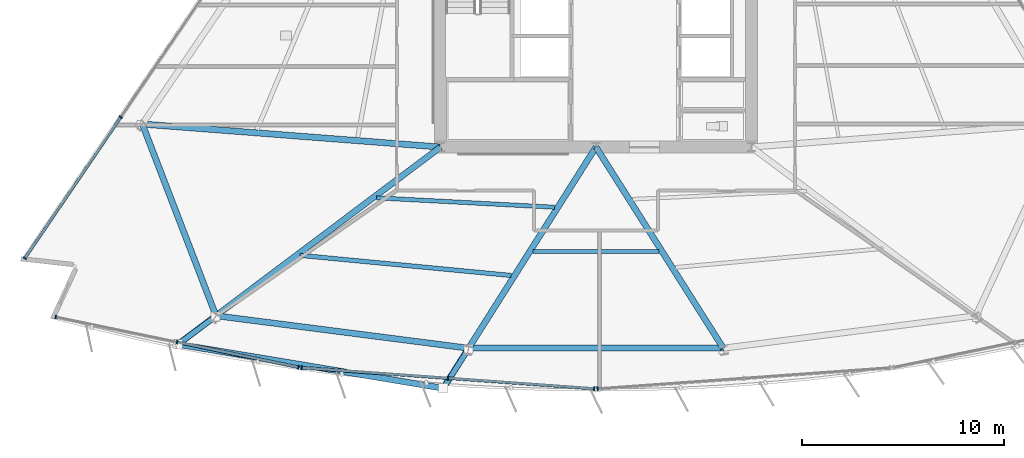
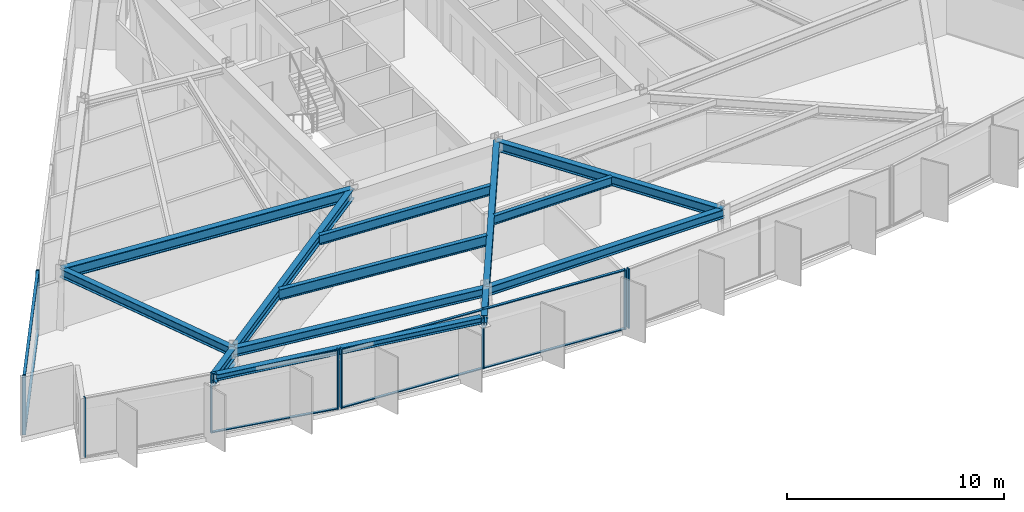
# One storey, part 2 of 15: 19 members, 13 beams, 4 elements without a shape of their own.
"""IFC4 building model written with IfcOpenShell, lengths in metres."""

from ifc_helpers import new_model, si_unit, direction, frame, origin, origin_2d, place, context, subcontext, project, spatial, rectangle, hollow_circle, i_section, extrude, material, material_profile, profile_set, type_object, element, aggregate, save


model = new_model("IFC4")

# Units and contexts
model_context = context("Model", 3, precision=1e-05, world=origin(), true_north=direction((0.0, 1.0)))
body_context = subcontext(model_context, "Body", "Model", "MODEL_VIEW")
ifc_project = project(units=[si_unit("LENGTHUNIT", "METRE"), si_unit("AREAUNIT", "SQUARE_METRE"), si_unit("VOLUMEUNIT", "CUBIC_METRE"), si_unit("PLANEANGLEUNIT", "RADIAN"), si_unit("MASSUNIT", "GRAM", prefix="KILO")], contexts=[model_context])

# Site, building, storey
site_placement = place(None, origin())
site = spatial("IfcSite", under=ifc_project, at=site_placement, CompositionType="ELEMENT")
building_placement = place(site_placement, origin())
building = spatial("IfcBuilding", under=site, at=building_placement, Name="Savorim Split Tower", CompositionType="ELEMENT")
storey_placement = place(building_placement, frame((0.0, 0.0, 100.5)))
storey = spatial("IfcBuildingStorey", under=building, at=storey_placement, Name="L26", CompositionType="ELEMENT", Elevation=100.5)

# Beams
ifc_material_1 = material(Name="Steel S355", Category="steel")
ifc_material_profile_1 = material_profile(ifc_material_1, i_section(OverallWidth=0.199951171875, OverallDepth=0.5, WebThickness=0.01025390625, FlangeThickness=0.01611328125, FilletRadius=0.02099609375, at=origin_2d()), Name="IPE 500")
ifc_profile_set_1 = profile_set([ifc_material_profile_1], Name="Steel S355")
beam_type_1 = type_object("IfcBeamType", Name="BM-JST-IPE500", PredefinedType="JOIST", material=ifc_profile_set_1)
beam_1_placement = place(storey_placement, frame((-3.120849609375, -14.581787109375, 3.10009765625), z_axis=(1.0, 0.0, 0.0), x_axis=(0.0, 1.0, 0.0)))
element("IfcBeam", 1, at=beam_1_placement, inside=storey, type_object=beam_type_1, Name="L26 Secondary Floor Joist JS-03", PredefinedType="JOIST", context=body_context, shape_type="SweptSolid", body=[
    extrude(i_section(OverallWidth=0.199951171875, OverallDepth=0.5, WebThickness=0.01025390625, FlangeThickness=0.01611328125, FilletRadius=0.02099609375, at=origin_2d()), origin(), (0.0, 0.0, 1.0), 6.24169921875),
])
ifc_material_profile_2 = material_profile(ifc_material_1, i_section(OverallWidth=0.2099609375, OverallDepth=0.550048828125, WebThickness=0.010986328125, FlangeThickness=0.01708984375, FilletRadius=0.02392578125, at=origin_2d()), Name="IPE 550")
ifc_profile_set_2 = profile_set([ifc_material_profile_2], Name="Steel S355")
beam_type_2 = type_object("IfcBeamType", Name="BM-JST-IPE550", PredefinedType="JOIST", material=ifc_profile_set_2)
beam_2_placement = place(storey_placement, frame((-10.877685546875, -11.916015625, 3.074951171875), z_axis=(0.998614240243, -0.052626981511, 0.0), x_axis=(0.052626981511, 0.998614240243, 0.0)))
element("IfcBeam", 2, at=beam_2_placement, inside=storey, type_object=beam_type_2, Name="L26 Secondary Floor Joist JS-02", PredefinedType="JOIST", context=body_context, shape_type="SweptSolid", body=[
    extrude(i_section(OverallWidth=0.2099609375, OverallDepth=0.550048828125, WebThickness=0.010986328125, FlangeThickness=0.01708984375, FilletRadius=0.02392578125, at=origin_2d()), origin(), (0.0, 0.0, 1.0), 8.83740234375),
])
ifc_material_profile_3 = material_profile(ifc_material_1, i_section(OverallWidth=0.219970703125, OverallDepth=0.60009765625, WebThickness=0.011962890625, FlangeThickness=0.01904296875, FilletRadius=0.02392578125, at=origin_2d()), Name="IPE 600")
ifc_profile_set_3 = profile_set([ifc_material_profile_3], Name="Steel S355")
beam_type_3 = type_object("IfcBeamType", Name="BM-JST-IPE600", PredefinedType="JOIST", material=ifc_profile_set_3)
beam_3_placement = place(storey_placement, frame((-14.660888671875, -14.764404296875, 3.050048828125), z_axis=(0.99548189162, -0.0949515848, 0.0), x_axis=(0.0949515848, 0.99548189162, 0.0)))
element("IfcBeam", 3, at=beam_3_placement, inside=storey, type_object=beam_type_3, Name="L26 Secondary Floor Joist JS-01", PredefinedType="JOIST", context=body_context, shape_type="SweptSolid", body=[
    extrude(i_section(OverallWidth=0.219970703125, OverallDepth=0.60009765625, WebThickness=0.011962890625, FlangeThickness=0.01904296875, FilletRadius=0.02392578125, at=origin_2d()), origin(), (0.0, 0.0, 1.0), 10.51123046875),
])
ifc_material_profile_4 = material_profile(ifc_material_1, i_section(OverallWidth=0.300048828125, OverallDepth=0.550048828125, WebThickness=0.014892578125, FlangeThickness=0.029052734375, FilletRadius=0.027099609375, at=origin_2d()), Name="HEB 550")
ifc_profile_set_4 = profile_set([ifc_material_profile_4], Name="Steel S355")
beam_type_4 = type_object("IfcBeamType", Name="BM-PRI-HEB550", PredefinedType="BEAM", material=ifc_profile_set_4)
beam_4_placement = place(storey_placement, frame((-18.8251953125, -17.75830078125, 3.074951171875), z_axis=(0.799500748151, 0.600665092798, 0.0), x_axis=(-0.600665092798, 0.799500748151, 0.0)))
element("IfcBeam", 4, at=beam_4_placement, inside=storey, type_object=beam_type_4, Name="L26 Primary Floor Girder RG-01", PredefinedType="BEAM", context=body_context, shape_type="SweptSolid", body=[
    extrude(i_section(OverallWidth=0.300048828125, OverallDepth=0.550048828125, WebThickness=0.014892578125, FlangeThickness=0.029052734375, FilletRadius=0.027099609375, at=origin_2d()), origin(), (0.0, 0.0, 1.0), 13.915283203125),
])
for number, where, z_axis, x_axis, name in (
    (5, (-6.309326171875, -19.365234375, 3.074951171875), (0.534927979037, 0.844897660811, 0.0), (-0.844897660811, 0.534927979037, 0.0), "L26 Primary Floor Girder RG-02"),
    (6, (6.309326171875, -19.365234375, 3.074951171875), (-0.534927979037, 0.844897660811, 0.0), (-0.844897660811, -0.534927979037, 0.0), "L26 Primary Floor Girder RG-03"),
):
    element("IfcBeam", number, at=place(storey_placement, frame(where, z_axis=z_axis, x_axis=x_axis)), inside=storey, type_object=beam_type_4, Name=name, PredefinedType="BEAM", context=body_context, shape_type="SweptSolid", body=[
        extrude(i_section(OverallWidth=0.300048828125, OverallDepth=0.550048828125, WebThickness=0.014892578125, FlangeThickness=0.029052734375, FilletRadius=0.027099609375, at=origin_2d()), origin(), (0.0, 0.0, 1.0), 11.794677734375),
    ])
beam_5_placement = place(storey_placement, frame((-18.8251953125, -17.75830078125, 3.074951171875), z_axis=(-0.799501074402, -0.600664658549, 0.0), x_axis=(0.600664658549, -0.799501074402, 0.0)))
element("IfcBeam", 7, at=beam_5_placement, inside=storey, type_object=beam_type_4, Name="L26 Cantilevered Lounge Rib 1", PredefinedType="BEAM", context=body_context, shape_type="SweptSolid", body=[
    extrude(i_section(OverallWidth=0.300048828125, OverallDepth=0.550048828125, WebThickness=0.014892578125, FlangeThickness=0.029052734375, FilletRadius=0.027099609375, at=origin_2d()), origin(), (0.0, 0.0, 1.0), 2.35009765625),
])
beam_6_placement = place(storey_placement, frame((-6.309326171875, -19.365234375, 3.074951171875), z_axis=(-0.534958151693, -0.844878556917, 0.0), x_axis=(0.844878556917, -0.534958151693, 0.0)))
element("IfcBeam", 8, at=beam_6_placement, inside=storey, type_object=beam_type_4, Name="L26 Cantilevered Lounge Rib 2", PredefinedType="BEAM", context=body_context, shape_type="SweptSolid", body=[
    extrude(i_section(OverallWidth=0.300048828125, OverallDepth=0.550048828125, WebThickness=0.014892578125, FlangeThickness=0.029052734375, FilletRadius=0.027099609375, at=origin_2d()), origin(), (0.0, 0.0, 1.0), 2.349853515625),
])
ifc_material_2 = material(Name="Steel S460", Category="steel")
ifc_material_profile_5 = material_profile(ifc_material_2, i_section(OverallWidth=0.304931640625, OverallDepth=0.6201171875, WebThickness=0.02099609375, FlangeThickness=0.0400390625, FilletRadius=0.027099609375, at=origin_2d()), Name="HE 600 M")
ifc_profile_set_5 = profile_set([ifc_material_profile_5], Name="Steel S460")
beam_type_5 = type_object("IfcBeamType", Name="BM-PRI-HEM600", PredefinedType="BEAM", material=ifc_profile_set_5)
beam_7_placement = place(storey_placement, frame((-22.4765625, -8.260009765625, 3.0400390625), z_axis=(0.997037795001, -0.076913167532, 0.0), x_axis=(0.076913167532, 0.997037795001, 0.0)))
element("IfcBeam", 9, at=beam_7_placement, inside=storey, type_object=beam_type_5, Name="L26 Primary Floor Girder RG-10", PredefinedType="BEAM", context=body_context, shape_type="SweptSolid", body=[
    extrude(i_section(OverallWidth=0.304931640625, OverallDepth=0.6201171875, WebThickness=0.02099609375, FlangeThickness=0.0400390625, FilletRadius=0.027099609375, at=origin_2d()), origin(), (0.0, 0.0, 1.0), 14.820556640625),
])
ifc_material_profile_6 = material_profile(ifc_material_1, i_section(OverallWidth=0.300048828125, OverallDepth=0.35009765625, WebThickness=0.010009765625, FlangeThickness=0.017578125, FilletRadius=0.027099609375, at=origin_2d()), Name="HEA 360")
ifc_profile_set_6 = profile_set([ifc_material_profile_6], Name="Steel S355")
beam_type_6 = type_object("IfcBeamType", Name="BM-SPN-HEA360", PredefinedType="SPANDREL", material=ifc_profile_set_6)
beam_8_placement = place(storey_placement, frame((-20.546142578125, -19.196044921875, 3.175048828125), z_axis=(0.98650083227, -0.163756245468, 0.0), x_axis=(0.163756245468, 0.98650083227, 0.0)))
element("IfcBeam", 10, at=beam_8_placement, inside=storey, type_object=beam_type_6, Name="L26 Cantilevered Lounge Front Edge Beam", PredefinedType="SPANDREL", context=body_context, shape_type="SweptSolid", body=[
    extrude(i_section(OverallWidth=0.300048828125, OverallDepth=0.35009765625, WebThickness=0.010009765625, FlangeThickness=0.017578125, FilletRadius=0.027099609375, at=origin_2d()), origin(), (0.0, 0.0, 1.0), 12.99755859375),
])
ifc_material_profile_7 = material_profile(ifc_material_1, i_section(OverallWidth=0.300048828125, OverallDepth=0.489990234375, WebThickness=0.011962890625, FlangeThickness=0.02294921875, FilletRadius=0.027099609375, at=origin_2d()), Name="HEA 500")
ifc_profile_set_7 = profile_set([ifc_material_profile_7], Name="Steel S355")
beam_type_7 = type_object("IfcBeamType", Name="BM-SPN-HEA500", PredefinedType="SPANDREL", material=ifc_profile_set_7)
for number, where, z_axis, x_axis, name in (
    (11, (-18.8251953125, -17.75830078125, 3.10498046875), (0.991858308131, -0.127346364657, 0.0), (0.127346364657, 0.991858308131, 0.0), "L26 Perimeter Spandrel Beam 1"),
    (12, (-6.309326171875, -19.365234375, 3.10498046875), (1.0, 0.0, 0.0), (0.0, 1.0, 0.0), "L26 Perimeter Spandrel Beam 2"),
):
    element("IfcBeam", number, at=place(storey_placement, frame(where, z_axis=z_axis, x_axis=x_axis)), inside=storey, type_object=beam_type_7, Name=name, PredefinedType="SPANDREL", context=body_context, shape_type="SweptSolid", body=[
        extrude(i_section(OverallWidth=0.300048828125, OverallDepth=0.489990234375, WebThickness=0.011962890625, FlangeThickness=0.02294921875, FilletRadius=0.027099609375, at=origin_2d()), origin(), (0.0, 0.0, 1.0), 12.61865234375),
    ])
beam_9_placement = place(storey_placement, frame((-22.4765625, -8.260009765625, 3.10498046875), z_axis=(0.35882312683, -0.93340557297, 0.0), x_axis=(0.93340557297, 0.35882312683, 0.0)))
element("IfcBeam", 13, at=beam_9_placement, inside=storey, type_object=beam_type_7, Name="L26 Perimeter Spandrel Beam 10", PredefinedType="SPANDREL", context=body_context, shape_type="SweptSolid", body=[
    extrude(i_section(OverallWidth=0.300048828125, OverallDepth=0.489990234375, WebThickness=0.011962890625, FlangeThickness=0.02294921875, FilletRadius=0.027099609375, at=origin_2d()), origin(), (0.0, 0.0, 1.0), 10.176025390625),
])

# Curtain wall, members
ifc_material_3 = material(Name="Dark Ceramic-Fritted Insulated Glass", Category="glass")
curtain_wall_type = type_object("IfcCurtainWallType", Name="CW-TWR-FRIT-A", PredefinedType="NOTDEFINED", material=ifc_material_3)
curtain_wall_1_placement = place(storey_placement, origin())
curtain_wall_1 = element("IfcCurtainWall", 14, at=curtain_wall_1_placement, inside=storey, type_object=curtain_wall_type, Name="L26 Curtain Wall CW-L26-SF1", PredefinedType="NOTDEFINED")
ifc_material_4 = material(Name="Charcoal Anodised Aluminium", Category="aluminium")
ifc_material_profile_8 = material_profile(ifc_material_4, rectangle(XDim=0.179931640625, YDim=0.06494140625, at=origin_2d()), Name="ALU-M 180x65")
ifc_profile_set_8 = profile_set([ifc_material_profile_8], Name="Charcoal Anodised Aluminium")
member_type_1 = type_object("IfcMemberType", Name="CWM-180x65", PredefinedType="MULLION", material=ifc_profile_set_8)
member_1_placement = place(storey_placement, frame((-26.76513671875, -17.81689453125, 0.0), z_axis=(0.0, 0.0, 1.0), x_axis=(0.203210153081, 0.979135145772, 0.0)))
member_1 = element("IfcMember", 15, at=member_1_placement, type_object=member_type_1, Name="CW-02 mullion 1", PredefinedType="MULLION", context=body_context, shape_type="SweptSolid", body=[
    extrude(rectangle(XDim=0.179931640625, YDim=0.06494140625, at=origin_2d()), origin(), (0.0, 0.0, 1.0), 3.35009765625),
])
member_2_placement = place(storey_placement, frame((-20.75634765625, -19.064208984375, 0.0), z_axis=(0.0, 0.0, 1.0), x_axis=(0.203210153081, 0.979135145772, 0.0)))
member_2 = element("IfcMember", 16, at=member_2_placement, type_object=member_type_1, Name="CW-02 mullion 2", PredefinedType="MULLION", context=body_context, shape_type="SweptSolid", body=[
    extrude(rectangle(XDim=0.179931640625, YDim=0.06494140625, at=origin_2d()), origin(), (0.0, 0.0, 1.0), 3.35009765625),
])
member_3_placement = place(storey_placement, frame((-14.747314453125, -20.311279296875, 0.0), z_axis=(0.0, 0.0, 1.0), x_axis=(0.203210153081, 0.979135145772, 0.0)))
member_3 = element("IfcMember", 17, at=member_3_placement, type_object=member_type_1, Name="CW-02 mullion 3", PredefinedType="MULLION", context=body_context, shape_type="SweptSolid", body=[
    extrude(rectangle(XDim=0.179931640625, YDim=0.06494140625, at=origin_2d()), origin(), (0.0, 0.0, 1.0), 3.35009765625),
])

curtain_wall_2_placement = place(storey_placement, origin())
curtain_wall_2 = element("IfcCurtainWall", 18, at=curtain_wall_2_placement, inside=storey, type_object=curtain_wall_type, Name="L26 Curtain Wall CW-L26-SF2", PredefinedType="NOTDEFINED")
member_4_placement = place(storey_placement, frame((-14.580322265625, -20.33447265625, 0.0), z_axis=(0.0, 0.0, 1.0), x_axis=(0.071560540796, 0.997436258114, 0.0)))
member_4 = element("IfcMember", 19, at=member_4_placement, type_object=member_type_1, Name="CW-02 mullion 1", PredefinedType="MULLION", context=body_context, shape_type="SweptSolid", body=[
    extrude(rectangle(XDim=0.179931640625, YDim=0.06494140625, at=origin_2d()), origin(), (0.0, 0.0, 1.0), 3.35009765625),
])
member_5_placement = place(storey_placement, frame((-7.33203125, -20.8544921875, 0.0), z_axis=(0.0, 0.0, 1.0), x_axis=(0.071560540796, 0.997436258114, 0.0)))
member_5 = element("IfcMember", 20, at=member_5_placement, type_object=member_type_1, Name="CW-02 mullion 2", PredefinedType="MULLION", context=body_context, shape_type="SweptSolid", body=[
    extrude(rectangle(XDim=0.179931640625, YDim=0.06494140625, at=origin_2d()), origin(), (0.0, 0.0, 1.0), 3.35009765625),
])
member_6_placement = place(storey_placement, frame((-0.083740234375, -21.37451171875, 0.0), z_axis=(0.0, 0.0, 1.0), x_axis=(0.071560540796, 0.997436258114, 0.0)))
member_6 = element("IfcMember", 21, at=member_6_placement, type_object=member_type_1, Name="CW-02 mullion 3", PredefinedType="MULLION", context=body_context, shape_type="SweptSolid", body=[
    extrude(rectangle(XDim=0.179931640625, YDim=0.06494140625, at=origin_2d()), origin(), (0.0, 0.0, 1.0), 3.35009765625),
])

# Curtain wall, member
curtain_wall_3_placement = place(storey_placement, origin())
curtain_wall_3 = element("IfcCurtainWall", 22, at=curtain_wall_3_placement, inside=storey, type_object=curtain_wall_type, Name="L26 Curtain Wall CW-L26-SF3", PredefinedType="NOTDEFINED")
member_7_placement = place(storey_placement, frame((0.083740234375, -21.37451171875, 0.0), z_axis=(0.0, 0.0, 1.0), x_axis=(-0.071560540796, 0.997436258114, 0.0)))
member_7 = element("IfcMember", 23, at=member_7_placement, type_object=member_type_1, Name="CW-02 mullion 1", PredefinedType="MULLION", context=body_context, shape_type="SweptSolid", body=[
    extrude(rectangle(XDim=0.179931640625, YDim=0.06494140625, at=origin_2d()), origin(), (0.0, 0.0, 1.0), 3.35009765625),
])
aggregate(curtain_wall_3, [member_7])

# Curtain wall, members
curtain_wall_4_placement = place(storey_placement, origin())
curtain_wall_4 = element("IfcCurtainWall", 24, at=curtain_wall_4_placement, inside=storey, type_object=curtain_wall_type, Name="L26 Curtain Wall CW-L26-WEST", PredefinedType="NOTDEFINED")
member_8_placement = place(storey_placement, frame((-23.539306640625, -7.917236328125, 0.0), z_axis=(0.0, 0.0, 1.0), x_axis=(0.826819383915, -0.562467515846, 0.0)))
member_8 = element("IfcMember", 25, at=member_8_placement, type_object=member_type_1, Name="CW-02 mullion 4", PredefinedType="MULLION", context=body_context, shape_type="SweptSolid", body=[
    extrude(rectangle(XDim=0.179931640625, YDim=0.06494140625, at=origin_2d()), origin(), (0.0, 0.0, 1.0), 3.35009765625),
])
member_9_placement = place(storey_placement, frame((-28.294921875, -14.908203125, 0.0), z_axis=(0.0, 0.0, 1.0), x_axis=(0.826819383915, -0.562467515846, 0.0)))
member_9 = element("IfcMember", 26, at=member_9_placement, type_object=member_type_1, Name="CW-02 mullion 5", PredefinedType="MULLION", context=body_context, shape_type="SweptSolid", body=[
    extrude(rectangle(XDim=0.179931640625, YDim=0.06494140625, at=origin_2d()), origin(), (0.0, 0.0, 1.0), 3.35009765625),
])

# Member
ifc_material_profile_9 = material_profile(ifc_material_4, rectangle(XDim=0.139892578125, YDim=0.054931640625, at=origin_2d()), Name="ALU-T 140x55")
ifc_profile_set_9 = profile_set([ifc_material_profile_9], Name="Charcoal Anodised Aluminium")
member_type_2 = type_object("IfcMemberType", Name="CWT-140x55", PredefinedType="USERDEFINED", material=ifc_profile_set_9)
member_10_placement = place(storey_placement, frame((-20.724365234375, -19.07080078125, 0.027587890625), z_axis=(0.97913534694, -0.203209183781, 0.0), x_axis=(0.203209183781, 0.97913534694, 0.0)))
member_10 = element("IfcMember", 27, at=member_10_placement, type_object=member_type_2, Name="CW-02 transom 2.1", ObjectType="TRANSOM", PredefinedType="USERDEFINED", context=body_context, shape_type="SweptSolid", body=[
    extrude(rectangle(XDim=0.139892578125, YDim=0.054931640625, at=origin_2d()), origin(), (0.0, 0.0, 1.0), 6.072021484375),
])

member_11_placement = place(storey_placement, frame((-20.724365234375, -19.07080078125, 3.322509765625), z_axis=(0.97913534694, -0.203209183781, 0.0), x_axis=(0.203209183781, 0.97913534694, 0.0)))
member_11 = element("IfcMember", 28, at=member_11_placement, type_object=member_type_2, Name="CW-02 transom 2.2", ObjectType="TRANSOM", PredefinedType="USERDEFINED", context=body_context, shape_type="SweptSolid", body=[
    extrude(rectangle(XDim=0.139892578125, YDim=0.054931640625, at=origin_2d()), origin(), (0.0, 0.0, 1.0), 6.072021484375),
])

aggregate(curtain_wall_1, [member_1, member_2, member_3, member_10, member_11])

member_12_placement = place(storey_placement, frame((-14.5478515625, -20.336669921875, 0.027587890625), z_axis=(0.997436107345, -0.071562642239, 0.0), x_axis=(0.071562642239, 0.997436107345, 0.0)))
member_12 = element("IfcMember", 29, at=member_12_placement, type_object=member_type_2, Name="CW-02 transom 1.1", ObjectType="TRANSOM", PredefinedType="USERDEFINED", context=body_context, shape_type="SweptSolid", body=[
    extrude(rectangle(XDim=0.139892578125, YDim=0.054931640625, at=origin_2d()), origin(), (0.0, 0.0, 1.0), 7.201904296875),
])

member_13_placement = place(storey_placement, frame((-14.5478515625, -20.336669921875, 3.322509765625), z_axis=(0.997436107345, -0.071562642239, 0.0), x_axis=(0.071562642239, 0.997436107345, 0.0)))
member_13 = element("IfcMember", 30, at=member_13_placement, type_object=member_type_2, Name="CW-02 transom 1.2", ObjectType="TRANSOM", PredefinedType="USERDEFINED", context=body_context, shape_type="SweptSolid", body=[
    extrude(rectangle(XDim=0.139892578125, YDim=0.054931640625, at=origin_2d()), origin(), (0.0, 0.0, 1.0), 7.201904296875),
])

member_14_placement = place(storey_placement, frame((-7.299560546875, -20.856689453125, 0.027587890625), z_axis=(0.997436107345, -0.071562642239, 0.0), x_axis=(0.071562642239, 0.997436107345, 0.0)))
member_14 = element("IfcMember", 31, at=member_14_placement, type_object=member_type_2, Name="CW-02 transom 2.1", ObjectType="TRANSOM", PredefinedType="USERDEFINED", context=body_context, shape_type="SweptSolid", body=[
    extrude(rectangle(XDim=0.139892578125, YDim=0.054931640625, at=origin_2d()), origin(), (0.0, 0.0, 1.0), 7.201904296875),
])

member_15_placement = place(storey_placement, frame((-7.299560546875, -20.856689453125, 3.322509765625), z_axis=(0.997436107345, -0.071562642239, 0.0), x_axis=(0.071562642239, 0.997436107345, 0.0)))
member_15 = element("IfcMember", 32, at=member_15_placement, type_object=member_type_2, Name="CW-02 transom 2.2", ObjectType="TRANSOM", PredefinedType="USERDEFINED", context=body_context, shape_type="SweptSolid", body=[
    extrude(rectangle(XDim=0.139892578125, YDim=0.054931640625, at=origin_2d()), origin(), (0.0, 0.0, 1.0), 7.201904296875),
])

aggregate(curtain_wall_2, [member_4, member_5, member_6, member_12, member_13, member_14, member_15])

member_16_placement = place(storey_placement, frame((-23.5576171875, -7.9443359375, 0.027587890625), z_axis=(-0.562478744219, -0.826811745382, 0.0), x_axis=(0.826811745382, -0.562478744219, 0.0)))
member_16 = element("IfcMember", 33, at=member_16_placement, type_object=member_type_2, Name="CW-02 transom 4.1", ObjectType="TRANSOM", PredefinedType="USERDEFINED", context=body_context, shape_type="SweptSolid", body=[
    extrude(rectangle(XDim=0.139892578125, YDim=0.054931640625, at=origin_2d()), origin(), (0.0, 0.0, 1.0), 8.39013671875),
])

member_17_placement = place(storey_placement, frame((-23.5576171875, -7.9443359375, 3.322509765625), z_axis=(-0.562478744219, -0.826811745382, 0.0), x_axis=(0.826811745382, -0.562478744219, 0.0)))
member_17 = element("IfcMember", 34, at=member_17_placement, type_object=member_type_2, Name="CW-02 transom 4.2", ObjectType="TRANSOM", PredefinedType="USERDEFINED", context=body_context, shape_type="SweptSolid", body=[
    extrude(rectangle(XDim=0.139892578125, YDim=0.054931640625, at=origin_2d()), origin(), (0.0, 0.0, 1.0), 8.39013671875),
])

aggregate(curtain_wall_4, [member_8, member_9, member_16, member_17])

# Members
ifc_material_profile_10 = material_profile(ifc_material_1, hollow_circle(Radius=0.136474609375, WallThickness=0.01611328125, at=origin_2d()), Name="CHS 273x16")
ifc_profile_set_10 = profile_set([ifc_material_profile_10], Name="Steel S355")
member_type_3 = type_object("IfcMemberType", Name="MBR-CRN-CHS273", PredefinedType="BRACE", material=ifc_profile_set_10)
member_18_placement = place(storey_placement, frame((-18.848876953125, -17.796630859375, 2.449951171875), z_axis=(-0.793616011759, -0.587457568909, 0.158326342127), x_axis=(0.594961919522, -0.803753889147, 0.0)))
element("IfcMember", 35, at=member_18_placement, inside=storey, type_object=member_type_3, Name="L26 Cantilevered Bay Support Strut 1", PredefinedType="BRACE", context=body_context, shape_type="SweptSolid", body=[
    extrude(hollow_circle(Radius=0.136474609375, WallThickness=0.01611328125, at=origin_2d()), origin(), (0.0, 0.0, 1.0), 2.337646484375),
])
member_19_placement = place(storey_placement, frame((-6.317138671875, -19.405517578125, 2.449951171875), z_axis=(-0.533614549259, -0.83082022942, 0.158092565307), x_axis=(0.841401444737, -0.540410592785, 0.0)))
element("IfcMember", 36, at=member_19_placement, inside=storey, type_object=member_type_3, Name="L26 Cantilevered Bay Support Strut 2", PredefinedType="BRACE", context=body_context, shape_type="SweptSolid", body=[
    extrude(hollow_circle(Radius=0.136474609375, WallThickness=0.01611328125, at=origin_2d()), origin(), (0.0, 0.0, 1.0), 2.341064453125),
])

save(model, "model.ifc")
